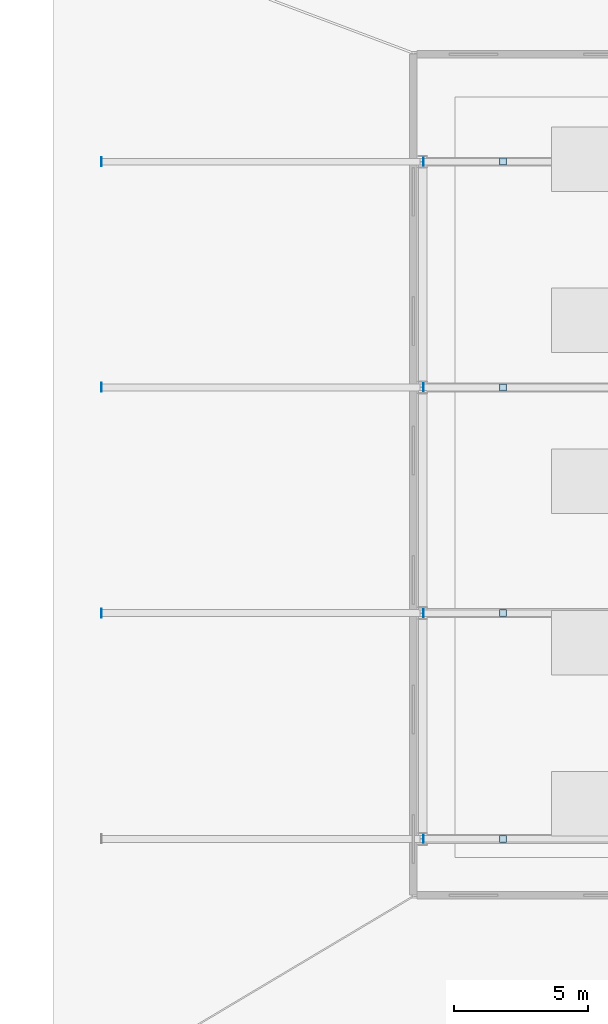
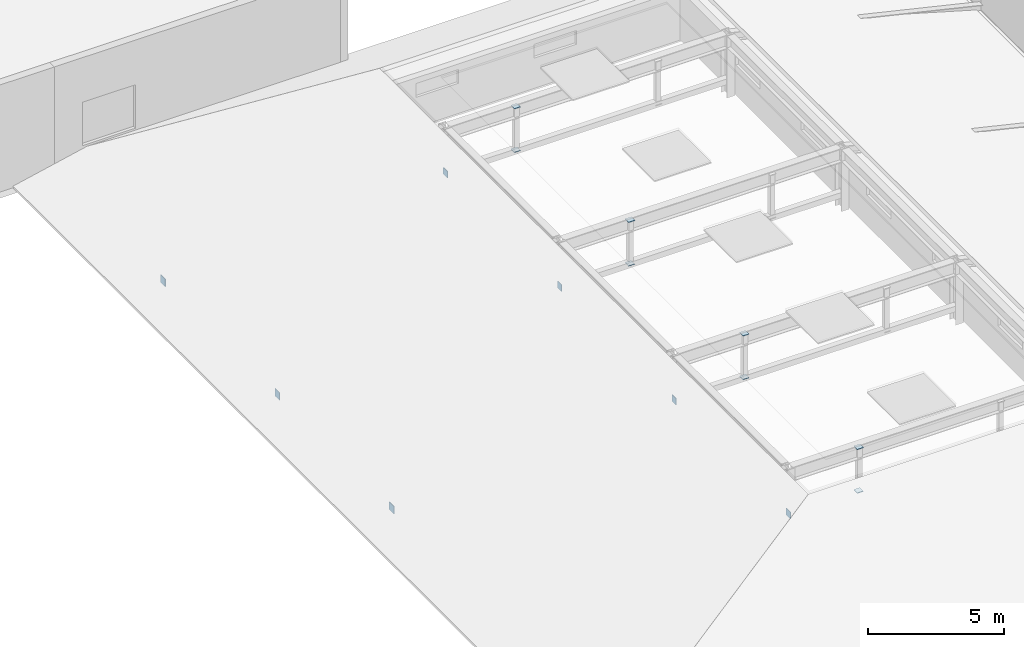
# One storey, part 62 of 91: 15 plates.
"""IFC4 building model written with IfcOpenShell, lengths in metres."""

from ifc_helpers import new_model, si_unit, direction, frame, origin, origin_2d, place, context, subcontext, project, spatial, rectangle, extrude, material, layer, layer_set, type_object, element, save


model = new_model("IFC4")

# Units and contexts
model_context = context("Model", 3, precision=1e-05, world=origin(), true_north=direction((0.0, 1.0)))
body_context = subcontext(model_context, "Body", "Model", "MODEL_VIEW")
ifc_project = project(units=[si_unit("LENGTHUNIT", "METRE"), si_unit("AREAUNIT", "SQUARE_METRE"), si_unit("VOLUMEUNIT", "CUBIC_METRE"), si_unit("PLANEANGLEUNIT", "RADIAN"), si_unit("MASSUNIT", "GRAM", prefix="KILO")], contexts=[model_context])

# Site, building, storey
site_placement = place(None, origin())
site = spatial("IfcSite", under=ifc_project, at=site_placement, CompositionType="ELEMENT")
building_placement = place(site_placement, origin())
building = spatial("IfcBuilding", under=site, at=building_placement, Name="Sollismere Congress Hotel", CompositionType="ELEMENT")
storey_placement = place(building_placement, frame((0.0, 0.0, 10.800048828125)))
storey = spatial("IfcBuildingStorey", under=building, at=storey_placement, Name="L02", CompositionType="ELEMENT", Elevation=10.800048828125)

# Plates
ifc_material = material(Name="Steel ASTM A572 Grade 50", Category="steel")
ifc_layer = layer(ifc_material, 0.02490234375, Name="Steel ASTM A572 Grade 50")
ifc_layer_set = layer_set([ifc_layer], Name="Steel ASTM A572 Grade 50")
plate_type = type_object("IfcPlateType", Name="PL-GS25", PredefinedType="USERDEFINED", material=ifc_layer_set)
plate_1_placement = place(storey_placement, frame((124.027099609375, 33.199951171875, 0.5), z_axis=(0.0, 0.0, 1.0), x_axis=(1.0, 0.0, 0.0)))
element("IfcPlate", 1, at=plate_1_placement, inside=storey, type_object=plate_type, Name="PLT-CHW-01", ObjectType="GUSSET PLATE", PredefinedType="USERDEFINED", context=body_context, shape_type="SweptSolid", body=[
    extrude(rectangle(XDim=0.02490234375, YDim=0.300048828125, at=origin_2d()), origin(), (0.0, 0.0, 1.0), 0.300048828125),
])
for number, where, z_axis, x_axis, name in (
    (2, (127.0, 33.199951171875, 0.62451171875), (0.0, 0.0, 1.0), (1.0, 0.0, 0.0), "PLT-SPS-11B"),
    (3, (127.0, 33.199951171875, 2.58056640625), (0.0, 0.0, 1.0), (1.0, 0.0, 0.0), "PLT-SPS-11T"),
):
    element("IfcPlate", number, at=place(storey_placement, frame(where, z_axis=z_axis, x_axis=x_axis)), inside=storey, type_object=plate_type, Name=name, ObjectType="GUSSET PLATE", PredefinedType="USERDEFINED", context=body_context, shape_type="SweptSolid", body=[
        extrude(rectangle(XDim=0.260009765625, YDim=0.260009765625, at=origin_2d()), origin(), (0.0, 0.0, 1.0), 0.02490234375),
    ])
plate_2_placement = place(storey_placement, frame((112.047119140625, 41.60009765625, -0.169921875), z_axis=(0.0, 0.0, 1.0), x_axis=(1.0, 0.0, 0.0)))
element("IfcPlate", 4, at=plate_2_placement, inside=storey, type_object=plate_type, Name="PLT-SPW-02", ObjectType="GUSSET PLATE", PredefinedType="USERDEFINED", context=body_context, shape_type="SweptSolid", body=[
    extrude(rectangle(XDim=0.02490234375, YDim=0.340087890625, at=origin_2d()), origin(), (0.0, 0.0, 1.0), 0.340087890625),
])
plate_3_placement = place(storey_placement, frame((124.027099609375, 41.60009765625, 0.5), z_axis=(0.0, 0.0, 1.0), x_axis=(1.0, 0.0, 0.0)))
element("IfcPlate", 5, at=plate_3_placement, inside=storey, type_object=plate_type, Name="PLT-CHW-02", ObjectType="GUSSET PLATE", PredefinedType="USERDEFINED", context=body_context, shape_type="SweptSolid", body=[
    extrude(rectangle(XDim=0.02490234375, YDim=0.300048828125, at=origin_2d()), origin(), (0.0, 0.0, 1.0), 0.300048828125),
])
for number, where, z_axis, x_axis, name in (
    (6, (127.0, 41.60009765625, 0.62451171875), (0.0, 0.0, 1.0), (1.0, 0.0, 0.0), "PLT-SPS-21B"),
    (7, (127.0, 41.60009765625, 2.58056640625), (0.0, 0.0, 1.0), (1.0, 0.0, 0.0), "PLT-SPS-21T"),
):
    element("IfcPlate", number, at=place(storey_placement, frame(where, z_axis=z_axis, x_axis=x_axis)), inside=storey, type_object=plate_type, Name=name, ObjectType="GUSSET PLATE", PredefinedType="USERDEFINED", context=body_context, shape_type="SweptSolid", body=[
        extrude(rectangle(XDim=0.260009765625, YDim=0.260009765625, at=origin_2d()), origin(), (0.0, 0.0, 1.0), 0.02490234375),
    ])
plate_4_placement = place(storey_placement, frame((112.047119140625, 50.0, -0.169921875), z_axis=(0.0, 0.0, 1.0), x_axis=(1.0, 0.0, 0.0)))
element("IfcPlate", 8, at=plate_4_placement, inside=storey, type_object=plate_type, Name="PLT-SPW-03", ObjectType="GUSSET PLATE", PredefinedType="USERDEFINED", context=body_context, shape_type="SweptSolid", body=[
    extrude(rectangle(XDim=0.02490234375, YDim=0.340087890625, at=origin_2d()), origin(), (0.0, 0.0, 1.0), 0.340087890625),
])
plate_5_placement = place(storey_placement, frame((124.027099609375, 50.0, 0.5), z_axis=(0.0, 0.0, 1.0), x_axis=(1.0, 0.0, 0.0)))
element("IfcPlate", 9, at=plate_5_placement, inside=storey, type_object=plate_type, Name="PLT-CHW-03", ObjectType="GUSSET PLATE", PredefinedType="USERDEFINED", context=body_context, shape_type="SweptSolid", body=[
    extrude(rectangle(XDim=0.02490234375, YDim=0.300048828125, at=origin_2d()), origin(), (0.0, 0.0, 1.0), 0.300048828125),
])
for number, where, z_axis, x_axis, name in (
    (10, (127.0, 50.0, 0.62451171875), (0.0, 0.0, 1.0), (1.0, 0.0, 0.0), "PLT-SPS-31B"),
    (11, (127.0, 50.0, 2.58056640625), (0.0, 0.0, 1.0), (1.0, 0.0, 0.0), "PLT-SPS-31T"),
):
    element("IfcPlate", number, at=place(storey_placement, frame(where, z_axis=z_axis, x_axis=x_axis)), inside=storey, type_object=plate_type, Name=name, ObjectType="GUSSET PLATE", PredefinedType="USERDEFINED", context=body_context, shape_type="SweptSolid", body=[
        extrude(rectangle(XDim=0.260009765625, YDim=0.260009765625, at=origin_2d()), origin(), (0.0, 0.0, 1.0), 0.02490234375),
    ])
plate_6_placement = place(storey_placement, frame((112.047119140625, 58.39990234375, -0.169921875), z_axis=(0.0, 0.0, 1.0), x_axis=(1.0, 0.0, 0.0)))
element("IfcPlate", 12, at=plate_6_placement, inside=storey, type_object=plate_type, Name="PLT-SPW-04", ObjectType="GUSSET PLATE", PredefinedType="USERDEFINED", context=body_context, shape_type="SweptSolid", body=[
    extrude(rectangle(XDim=0.02490234375, YDim=0.340087890625, at=origin_2d()), origin(), (0.0, 0.0, 1.0), 0.340087890625),
])
plate_7_placement = place(storey_placement, frame((124.027099609375, 58.39990234375, 0.5), z_axis=(0.0, 0.0, 1.0), x_axis=(1.0, 0.0, 0.0)))
element("IfcPlate", 13, at=plate_7_placement, inside=storey, type_object=plate_type, Name="PLT-CHW-04", ObjectType="GUSSET PLATE", PredefinedType="USERDEFINED", context=body_context, shape_type="SweptSolid", body=[
    extrude(rectangle(XDim=0.02490234375, YDim=0.300048828125, at=origin_2d()), origin(), (0.0, 0.0, 1.0), 0.300048828125),
])
for number, where, z_axis, x_axis, name in (
    (14, (127.0, 58.39990234375, 0.62451171875), (0.0, 0.0, 1.0), (1.0, 0.0, 0.0), "PLT-SPS-41B"),
    (15, (127.0, 58.39990234375, 2.58056640625), (0.0, 0.0, 1.0), (1.0, 0.0, 0.0), "PLT-SPS-41T"),
):
    element("IfcPlate", number, at=place(storey_placement, frame(where, z_axis=z_axis, x_axis=x_axis)), inside=storey, type_object=plate_type, Name=name, ObjectType="GUSSET PLATE", PredefinedType="USERDEFINED", context=body_context, shape_type="SweptSolid", body=[
        extrude(rectangle(XDim=0.260009765625, YDim=0.260009765625, at=origin_2d()), origin(), (0.0, 0.0, 1.0), 0.02490234375),
    ])

save(model, "model.ifc")
